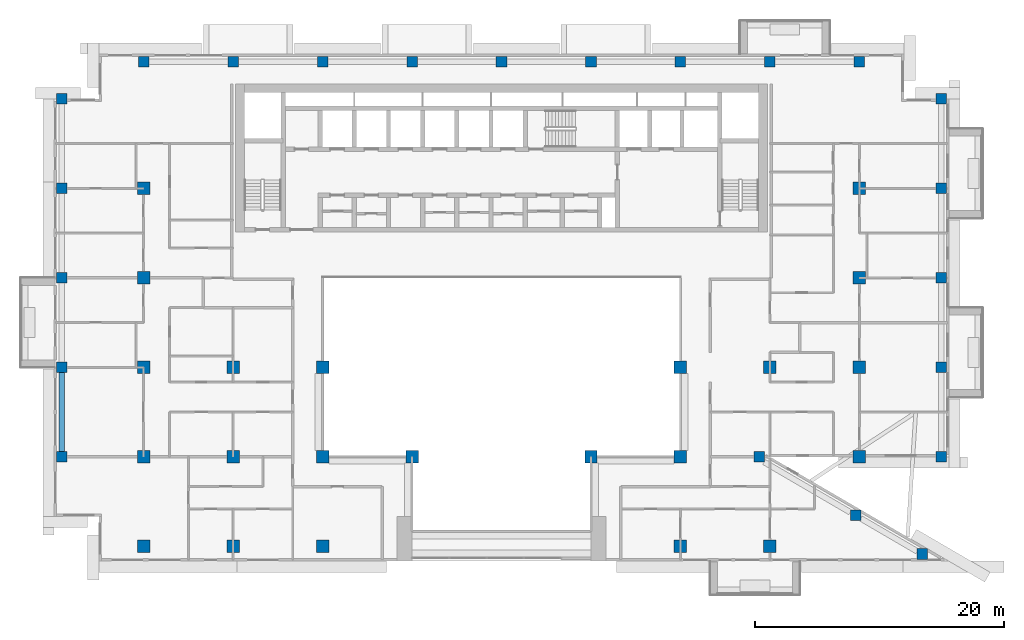
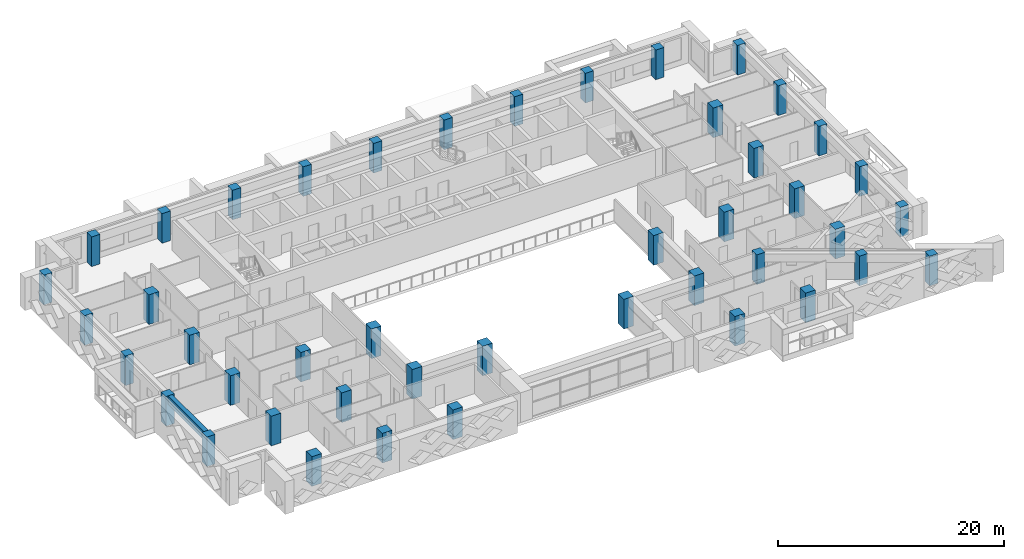
# One storey, part 1 of 20: 44 columns, 1 beam.
"""IFC4 building model written with IfcOpenShell, lengths in metres."""

from ifc_helpers import new_model, si_unit, direction, frame, origin, origin_2d, place, context, subcontext, project, spatial, rectangle, extrude, source, transform, mapped, material, material_profile, profile_set, type_object, element, save


model = new_model("IFC4")

# Units and contexts
model_context = context("Model", 3, precision=1e-05, world=origin(), true_north=direction((0.0, 1.0)))
body_context = subcontext(model_context, "Body", "Model", "MODEL_VIEW")
ifc_project = project(units=[si_unit("LENGTHUNIT", "METRE"), si_unit("AREAUNIT", "SQUARE_METRE"), si_unit("VOLUMEUNIT", "CUBIC_METRE"), si_unit("PLANEANGLEUNIT", "RADIAN"), si_unit("MASSUNIT", "GRAM", prefix="KILO")], contexts=[model_context])

# Site, building, storey
site_placement = place(None, origin())
site = spatial("IfcSite", under=ifc_project, at=site_placement, CompositionType="ELEMENT")
building_placement = place(site_placement, origin())
building = spatial("IfcBuilding", under=site, at=building_placement, Name="Saffron Iwan Residences", CompositionType="ELEMENT")
storey_placement = place(building_placement, frame((0.0, 0.0, 143.0)))
storey = spatial("IfcBuildingStorey", under=building, at=storey_placement, Name="L37", CompositionType="ELEMENT", Elevation=143.0)

# Columns
ifc_material = material(Name="Concrete C50/60", Category="concrete")
ifc_material_profile_1 = material_profile(ifc_material, rectangle(XDim=0.85009765625, YDim=0.85009765625, at=origin_2d()), Name="RC 850x850")
ifc_profile_set_1 = profile_set([ifc_material_profile_1], Name="Concrete C50/60")
column_type_1 = type_object("IfcColumnType", Name="COL RC 850x850 C50/60 3200 HIGH", PredefinedType="COLUMN", material=ifc_profile_set_1)
shared_shape_1 = source(origin(), body_context, "Body", "SweptSolid", [
    extrude(rectangle(XDim=0.85009765625, YDim=0.85009765625, at=origin_2d()), origin(), (0.0, 0.0, 1.0), 3.199951171875),
])
for number, where, z_axis, x_axis, name in (
    (1, (84.276123046875, 40.17431640625, 0.0), (0.0, 0.0, 1.0), (1.0, 0.0, 0.0), "Column C045"),
    (2, (78.897705078125, 43.28173828125, 0.0), (0.0, 0.0, 1.0), (1.0, 0.0, 0.0), "Column C058"),
    (3, (15.0, 48.0, 0.0), (0.0, 0.0, 1.0), (1.0, 0.0, 0.0), "Column C061"),
    (4, (71.14990234375, 48.0, 0.0), (0.0, 0.0, 1.0), (1.0, 0.0, 0.0), "Column C070"),
    (5, (85.800048828125, 48.0, 0.0), (0.0, 0.0, 1.0), (1.0, 0.0, 0.0), "Column C074"),
    (6, (15.0, 55.199951171875, 0.0), (0.0, 0.0, 1.0), (1.0, 0.0, 0.0), "Column C077"),
    (7, (85.800048828125, 55.199951171875, 0.0), (0.0, 0.0, 1.0), (1.0, 0.0, 0.0), "Column C086"),
    (8, (15.0, 62.39990234375, 0.0), (0.0, 0.0, 1.0), (1.0, 0.0, 0.0), "Column C089"),
    (9, (85.800048828125, 62.39990234375, 0.0), (0.0, 0.0, 1.0), (1.0, 0.0, 0.0), "Column C094"),
    (10, (15.0, 69.60009765625, 0.0), (0.0, 0.0, 1.0), (1.0, 0.0, 0.0), "Column C097"),
    (11, (85.800048828125, 69.60009765625, 0.0), (0.0, 0.0, 1.0), (1.0, 0.0, 0.0), "Column C102"),
    (12, (15.0, 76.800048828125, 0.0), (0.0, 0.0, 1.0), (1.0, 0.0, 0.0), "Column C105"),
    (13, (85.800048828125, 76.800048828125, 0.0), (0.0, 0.0, 1.0), (1.0, 0.0, 0.0), "Column C110"),
    (14, (21.60009765625, 79.800048828125, 0.0), (0.0, 0.0, 1.0), (1.0, 0.0, 0.0), "Column C113"),
    (15, (28.800048828125, 79.800048828125, 0.0), (0.0, 0.0, 1.0), (1.0, 0.0, 0.0), "Column C115"),
    (16, (36.0, 79.800048828125, 0.0), (0.0, 0.0, 1.0), (1.0, 0.0, 0.0), "Column C116"),
    (17, (43.199951171875, 79.800048828125, 0.0), (0.0, 0.0, 1.0), (1.0, 0.0, 0.0), "Column C117"),
    (18, (50.39990234375, 79.800048828125, 0.0), (0.0, 0.0, 1.0), (1.0, 0.0, 0.0), "Column C118"),
    (19, (57.60009765625, 79.800048828125, 0.0), (0.0, 0.0, 1.0), (1.0, 0.0, 0.0), "Column C119"),
    (20, (64.800048828125, 79.800048828125, 0.0), (0.0, 0.0, 1.0), (1.0, 0.0, 0.0), "Column C120"),
    (21, (72.0, 79.800048828125, 0.0), (0.0, 0.0, 1.0), (1.0, 0.0, 0.0), "Column C121"),
    (22, (79.199951171875, 79.800048828125, 0.0), (0.0, 0.0, 1.0), (1.0, 0.0, 0.0), "Column C123"),
):
    element("IfcColumn", number, at=place(storey_placement, frame(where, z_axis=z_axis, x_axis=x_axis)), inside=storey, type_object=column_type_1, Name=name, PredefinedType="COLUMN", context=body_context, shape_type="MappedRepresentation", body=[
        mapped(shared_shape_1, transform((0.0, 0.0, 0.0))),
    ])
ifc_material_profile_2 = material_profile(ifc_material, rectangle(XDim=1.0, YDim=1.0, at=origin_2d()), Name="RC 1000x1000")
ifc_profile_set_2 = profile_set([ifc_material_profile_2], Name="Concrete C50/60")
column_type_2 = type_object("IfcColumnType", Name="COL RC 1000x1000 C50/60 3200 HIGH", PredefinedType="COLUMN", material=ifc_profile_set_2)
shared_shape_2 = source(origin(), body_context, "Body", "SweptSolid", [
    extrude(rectangle(XDim=1.0, YDim=1.0, at=origin_2d()), origin(), (0.0, 0.0, 1.0), 3.199951171875),
])
for number, where, z_axis, x_axis, name in (
    (23, (21.60009765625, 40.800048828125, 0.0), (0.0, 0.0, 1.0), (1.0, 0.0, 0.0), "Column C049"),
    (24, (28.800048828125, 40.800048828125, 0.0), (0.0, 0.0, 1.0), (1.0, 0.0, 0.0), "Column C051"),
    (25, (36.0, 40.800048828125, 0.0), (0.0, 0.0, 1.0), (1.0, 0.0, 0.0), "Column C052"),
    (26, (64.800048828125, 40.800048828125, 0.0), (0.0, 0.0, 1.0), (1.0, 0.0, 0.0), "Column C055"),
    (27, (72.0, 40.800048828125, 0.0), (0.0, 0.0, 1.0), (1.0, 0.0, 0.0), "Column C056"),
    (28, (21.60009765625, 48.0, 0.0), (0.0, 0.0, 1.0), (1.0, 0.0, 0.0), "Column C063"),
    (29, (28.800048828125, 48.0, 0.0), (0.0, 0.0, 1.0), (1.0, 0.0, 0.0), "Column C064"),
    (30, (36.0, 48.0, 0.0), (0.0, 0.0, 1.0), (1.0, 0.0, 0.0), "Column C065"),
    (31, (43.199951171875, 48.0, 0.0), (0.0, 0.0, 1.0), (1.0, 0.0, 0.0), "Column C066"),
    (32, (57.60009765625, 48.0, 0.0), (0.0, 0.0, 1.0), (1.0, 0.0, 0.0), "Column C068"),
    (33, (64.800048828125, 48.0, 0.0), (0.0, 0.0, 1.0), (1.0, 0.0, 0.0), "Column C069"),
    (34, (79.199951171875, 48.0, 0.0), (0.0, 0.0, 1.0), (1.0, 0.0, 0.0), "Column C072"),
    (35, (21.60009765625, 55.199951171875, 0.0), (0.0, 0.0, 1.0), (1.0, 0.0, 0.0), "Column C079"),
    (36, (28.800048828125, 55.199951171875, 0.0), (0.0, 0.0, 1.0), (1.0, 0.0, 0.0), "Column C080"),
    (37, (36.0, 55.199951171875, 0.0), (0.0, 0.0, 1.0), (1.0, 0.0, 0.0), "Column C081"),
    (38, (64.800048828125, 55.199951171875, 0.0), (0.0, 0.0, 1.0), (1.0, 0.0, 0.0), "Column C082"),
    (39, (72.0, 55.199951171875, 0.0), (0.0, 0.0, 1.0), (1.0, 0.0, 0.0), "Column C083"),
    (40, (79.199951171875, 55.199951171875, 0.0), (0.0, 0.0, 1.0), (1.0, 0.0, 0.0), "Column C084"),
    (41, (21.60009765625, 62.39990234375, 0.0), (0.0, 0.0, 1.0), (1.0, 0.0, 0.0), "Column C091"),
    (42, (79.199951171875, 62.39990234375, 0.0), (0.0, 0.0, 1.0), (1.0, 0.0, 0.0), "Column C092"),
    (43, (21.60009765625, 69.60009765625, 0.0), (0.0, 0.0, 1.0), (1.0, 0.0, 0.0), "Column C099"),
    (44, (79.199951171875, 69.60009765625, 0.0), (0.0, 0.0, 1.0), (1.0, 0.0, 0.0), "Column C100"),
):
    element("IfcColumn", number, at=place(storey_placement, frame(where, z_axis=z_axis, x_axis=x_axis)), inside=storey, type_object=column_type_2, Name=name, PredefinedType="COLUMN", context=body_context, shape_type="MappedRepresentation", body=[
        mapped(shared_shape_2, transform((0.0, 0.0, 0.0))),
    ])

# Beam
ifc_material_profile_3 = material_profile(ifc_material, rectangle(XDim=0.449951171875, YDim=0.89990234375, at=origin_2d()), Name="RC 450x900")
ifc_profile_set_3 = profile_set([ifc_material_profile_3], Name="Concrete C50/60")
beam_type = type_object("IfcBeamType", Name="SPANDREL BEAM RC 450x900 C50/60 TOP 3200", PredefinedType="SPANDREL", material=ifc_profile_set_3)
shared_shape_3 = source(origin(), body_context, "Body", "SweptSolid", [
    extrude(rectangle(XDim=0.449951171875, YDim=0.89990234375, at=origin_2d()), origin(), (0.0, 0.0, 1.0), 6.349853515625),
])
beam_placement = place(storey_placement, frame((15.0, 48.425048828125, 2.75), z_axis=(0.0, 1.0, 0.0), x_axis=(-1.0, 0.0, 0.0)))
element("IfcBeam", 45, at=beam_placement, inside=storey, type_object=beam_type, Name="Spandrel beam", PredefinedType="SPANDREL", context=body_context, shape_type="MappedRepresentation", body=[
    mapped(shared_shape_3, transform((0.0, 0.0, 0.0))),
])

save(model, "model.ifc")
